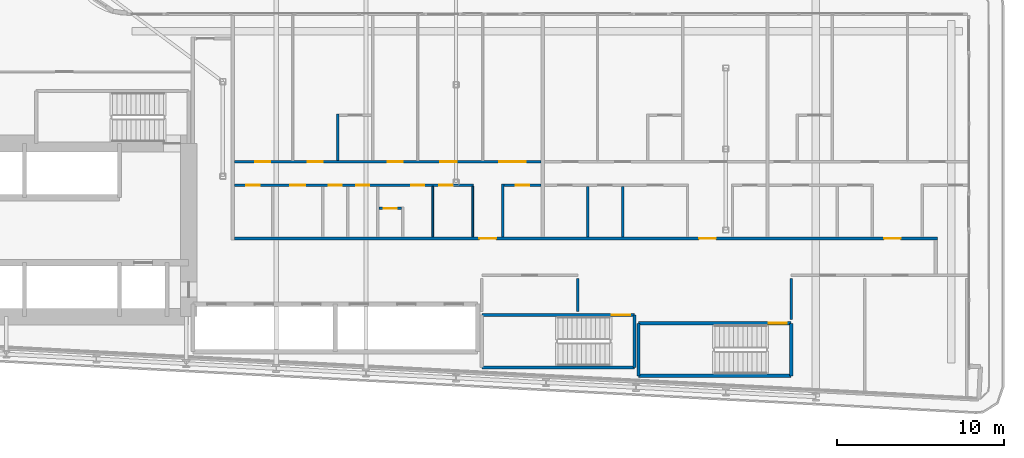
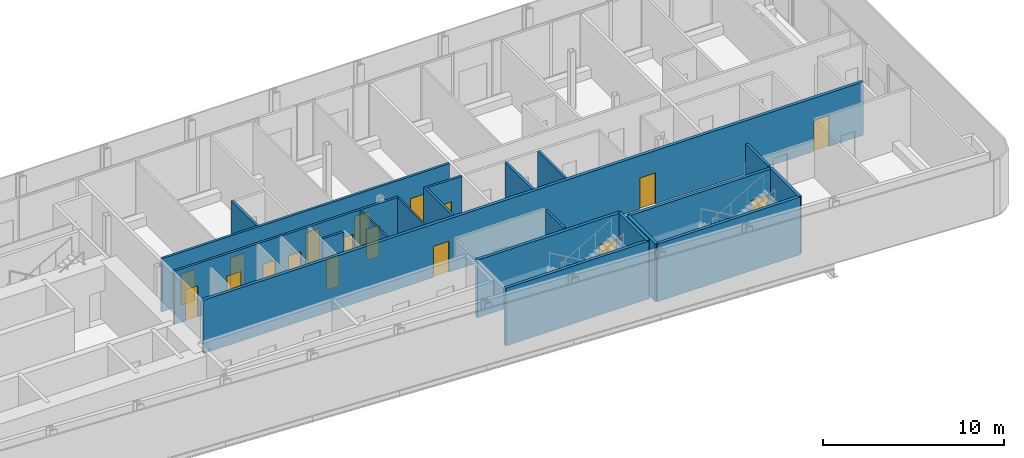
# One storey, part 16 of 29: 20 walls, 18 doors, 18 openings.
"""IFC4 building model written with IfcOpenShell, lengths in metres."""

from ifc_helpers import new_model, si_unit, direction, frame, frame_2d, origin, place, context, subcontext, project, spatial, rectangle, extrude, source, transform, mapped, material, layer, layer_set, type_object, element, fill, save


model = new_model("IFC4")

# Units and contexts
model_context = context("Model", 3, precision=1e-05, world=origin(), true_north=direction((0.0, 1.0)))
body_context = subcontext(model_context, "Body", "Model", "MODEL_VIEW")
ifc_project = project(units=[si_unit("LENGTHUNIT", "METRE"), si_unit("AREAUNIT", "SQUARE_METRE"), si_unit("VOLUMEUNIT", "CUBIC_METRE"), si_unit("PLANEANGLEUNIT", "RADIAN"), si_unit("MASSUNIT", "GRAM", prefix="KILO")], contexts=[model_context])

# Site, building, storey
site_placement = place(None, origin())
site = spatial("IfcSite", under=ifc_project, at=site_placement, CompositionType="ELEMENT")
building_placement = place(site_placement, origin())
building = spatial("IfcBuilding", under=site, at=building_placement, Name="Kheshtan School and Residences Tower", CompositionType="ELEMENT")
storey_placement = place(building_placement, frame((0.0, 0.0, 69.5)))
storey = spatial("IfcBuildingStorey", under=building, at=storey_placement, Name="L16", CompositionType="ELEMENT", Elevation=69.5)

# Wall, openings, doors
ifc_material_1 = material(Name="Gypsum board on steel studs with fire boards", Category="steel")
ifc_layer_1 = layer(ifc_material_1, 0.199951171875)
ifc_layer_set_1 = layer_set([ifc_layer_1], Name="Corridor wall 200")
wall_type_1 = type_object("IfcWallType", Name="Corridor wall 200", PredefinedType="PARTITIONING", material=ifc_layer_set_1)
wall_1_placement = place(storey_placement, frame((55.89990234375, 30.5, 0.0), z_axis=(0.0, 0.0, 1.0), x_axis=(1.0, 0.0, 0.0)))
wall_1 = element("IfcWall", 1, at=wall_1_placement, inside=storey, type_object=wall_type_1, Name="Partition L16-041", PredefinedType="PARTITIONING", context=body_context, shape_type="SweptSolid", body=[
    extrude(rectangle(XDim=42.2001953125, YDim=0.199951171875, at=frame_2d((21.10009765625, 0.0))), origin(), (0.0, 0.0, 1.0), 3.60009765625),
])
opening_1_placement = place(wall_1_placement, frame((14.699951171875, 0.0, 0.0)))
opening_1 = element("IfcOpeningElement", 2, at=opening_1_placement, cuts=wall_1, Name="Opening D14-007", PredefinedType="OPENING", context=body_context, shape_type="SweptSolid", body=[
    extrude(rectangle(XDim=1.0, YDim=2.10009765625, at=frame_2d((0.5, 1.050048828125))), frame((0.0, 0.10986328125, 0.0), z_axis=(0.0, -1.0, 0.0), x_axis=(1.0, 0.0, 0.0)), (0.0, 0.0, 1.0), 0.219970703125),
])
opening_2_placement = place(wall_1_placement, frame((27.89990234375, 0.0, 0.0)))
opening_2 = element("IfcOpeningElement", 3, at=opening_2_placement, cuts=wall_1, Name="Opening D14-019", PredefinedType="OPENING", context=body_context, shape_type="SweptSolid", body=[
    extrude(rectangle(XDim=1.0, YDim=2.10009765625, at=frame_2d((0.5, 1.050048828125))), frame((0.0, 0.10986328125, 0.0), z_axis=(0.0, -1.0, 0.0), x_axis=(1.0, 0.0, 0.0)), (0.0, 0.0, 1.0), 0.219970703125),
])
opening_3_placement = place(wall_1_placement, frame((39.0, 0.0, 0.0)))
opening_3 = element("IfcOpeningElement", 4, at=opening_3_placement, cuts=wall_1, Name="Opening D14-028", PredefinedType="OPENING", context=body_context, shape_type="SweptSolid", body=[
    extrude(rectangle(XDim=1.0, YDim=2.10009765625, at=frame_2d((0.5, 1.050048828125))), frame((0.0, 0.10986328125, 0.0), z_axis=(0.0, -1.0, 0.0), x_axis=(1.0, 0.0, 0.0)), (0.0, 0.0, 1.0), 0.219970703125),
])
ifc_material_2 = material(Name="Steel-framed fire-resisting door leaf", Category="steel")
door_type_1 = type_object("IfcDoorType", Name="Fire door FD30S 1000 x 2100", OperationType="SINGLE_SWING_LEFT", PredefinedType="DOOR", material=ifc_material_2)
shared_shape_1 = source(origin(), body_context, "Body", "SweptSolid", [
    extrude(rectangle(XDim=1.0, YDim=2.10009765625, at=frame_2d((0.5, 1.050048828125))), frame((0.0, 0.02490234375, 0.0), z_axis=(0.0, -1.0, 0.0), x_axis=(1.0, 0.0, 0.0)), (0.0, 0.0, 1.0), 0.050048828125),
])
door_1_placement = place(opening_1_placement, origin())
door_1 = element("IfcDoor", 5, at=door_1_placement, inside=storey, type_object=door_type_1, Name="Door D14-007", OperationType="SINGLE_SWING_LEFT", OverallHeight=2.10009765625, OverallWidth=1.0, PredefinedType="DOOR", context=body_context, shape_type="MappedRepresentation", body=[
    mapped(shared_shape_1, transform((0.0, 0.0, 0.0), x_axis=(1.0, 0.0, 0.0), y_axis=(0.0, 1.0, 0.0), z_axis=(0.0, 0.0, 1.0), scale=1.0)),
])
fill(opening_1, door_1)
door_2_placement = place(opening_2_placement, origin())
door_2 = element("IfcDoor", 6, at=door_2_placement, inside=storey, type_object=door_type_1, Name="Door D14-019", OperationType="SINGLE_SWING_LEFT", OverallHeight=2.10009765625, OverallWidth=1.0, PredefinedType="DOOR", context=body_context, shape_type="MappedRepresentation", body=[
    mapped(shared_shape_1, transform((0.0, 0.0, 0.0), x_axis=(1.0, 0.0, 0.0), y_axis=(0.0, 1.0, 0.0), z_axis=(0.0, 0.0, 1.0), scale=1.0)),
])
fill(opening_2, door_2)
door_3_placement = place(opening_3_placement, origin())
door_3 = element("IfcDoor", 7, at=door_3_placement, inside=storey, type_object=door_type_1, Name="Door D14-028", OperationType="SINGLE_SWING_LEFT", OverallHeight=2.10009765625, OverallWidth=1.0, PredefinedType="DOOR", context=body_context, shape_type="MappedRepresentation", body=[
    mapped(shared_shape_1, transform((0.0, 0.0, 0.0), x_axis=(1.0, 0.0, 0.0), y_axis=(0.0, 1.0, 0.0), z_axis=(0.0, 0.0, 1.0), scale=1.0)),
])
fill(opening_3, door_3)

# Walls
ifc_material_3 = material(Name="Gypsum board on steel studs", Category="steel")
ifc_layer_2 = layer(ifc_material_3, 0.10009765625)
ifc_layer_set_2 = layer_set([ifc_layer_2], Name="Gypsum partition 100")
wall_type_2 = type_object("IfcWallType", Name="Gypsum partition 100", PredefinedType="PARTITIONING", material=ifc_layer_set_2)
for number, where, z_axis, x_axis, name in (
    (8, (67.800048828125, 30.60009765625, 0.0), (0.0, 0.0, 1.0), (0.0, 1.0, 0.0), "Partition L16-055"),
    (9, (70.199951171875, 30.60009765625, 0.0), (0.0, 0.0, 1.0), (0.0, 1.0, 0.0), "Partition L16-056"),
):
    element("IfcWall", number, at=place(storey_placement, frame(where, z_axis=z_axis, x_axis=x_axis)), inside=storey, type_object=wall_type_2, Name=name, PredefinedType="PARTITIONING", context=body_context, shape_type="SweptSolid", body=[
        extrude(rectangle(XDim=3.02490234375, YDim=0.10009765625, at=frame_2d((1.512451171875, 0.0))), origin(), (0.0, 0.0, 1.0), 3.60009765625),
    ])
ifc_material_4 = material(Name="Fire-board shaft wall system")
ifc_layer_3 = layer(ifc_material_4, 0.14990234375)
ifc_layer_set_3 = layer_set([ifc_layer_3], Name="Service room wall 150")
wall_type_3 = type_object("IfcWallType", Name="Service room wall 150", PredefinedType="PARTITIONING", material=ifc_layer_set_3)
wall_2_placement = place(storey_placement, frame((76.510009765625, 26.1201171875, 0.0), z_axis=(0.0, 0.0, 1.0), x_axis=(0.0, 1.0, 0.0)))
element("IfcWall", 10, at=wall_2_placement, inside=storey, type_object=wall_type_3, Name="Service room wall", PredefinedType="PARTITIONING", context=body_context, shape_type="SweptSolid", body=[
    extrude(rectangle(XDim=1.98486328125, YDim=0.14990234375, at=frame_2d((0.992431640625, 0.0))), origin(), (0.0, 0.0, 1.0), 3.89990234375),
])
wall_3_placement = place(storey_placement, frame((89.320068359375, 25.6201171875, 0.0), z_axis=(0.0, 0.0, 1.0), x_axis=(0.0, 1.0, 0.0)))
element("IfcWall", 11, at=wall_3_placement, inside=storey, type_object=wall_type_3, Name="Service room wall", PredefinedType="PARTITIONING", context=body_context, shape_type="SweptSolid", body=[
    extrude(rectangle(XDim=2.48486328125, YDim=0.14990234375, at=frame_2d((1.242431640625, 0.0))), origin(), (0.0, 0.0, 1.0), 3.89990234375),
])
ifc_material_5 = material(Name="Concrete C40/50", Category="concrete")
ifc_layer_4 = layer(ifc_material_5, 0.199951171875)
ifc_layer_set_4 = layer_set([ifc_layer_4], Name="Stair enclosure wall 200 Concrete C40/50")
wall_type_4 = type_object("IfcWallType", Name="Stair enclosure wall 200 Concrete C40/50", PredefinedType="SHEAR", material=ifc_layer_set_4)
wall_4_placement = place(storey_placement, frame((80.159912109375, 22.25, 0.0), z_axis=(0.0, 0.0, 1.0), x_axis=(1.0, 0.0, 0.0)))
element("IfcWall", 12, at=wall_4_placement, inside=storey, type_object=wall_type_4, Name="Stair enclosure wall ST4", PredefinedType="SHEAR", context=body_context, shape_type="SweptSolid", body=[
    extrude(rectangle(XDim=9.16015625, YDim=0.199951171875, at=frame_2d((4.580078125, 0.0))), origin(), (0.0, 0.0, 1.0), 3.89990234375),
])

# Wall, opening, door
wall_5_placement = place(storey_placement, frame((80.159912109375, 25.39990234375, 0.0), z_axis=(0.0, 0.0, 1.0), x_axis=(1.0, 0.0, 0.0)))
wall_5 = element("IfcWall", 13, at=wall_5_placement, inside=storey, type_object=wall_type_4, Name="Stair enclosure wall ST4", PredefinedType="SHEAR", context=body_context, shape_type="SweptSolid", body=[
    extrude(rectangle(XDim=9.16015625, YDim=0.199951171875, at=frame_2d((4.580078125, 0.0))), origin(), (0.0, 0.0, 1.0), 3.89990234375),
])
opening_4_placement = place(wall_5_placement, frame((7.81005859375, 0.0, 0.0)))
opening_4 = element("IfcOpeningElement", 14, at=opening_4_placement, cuts=wall_5, Name="Opening ST4D", PredefinedType="OPENING", context=body_context, shape_type="SweptSolid", body=[
    extrude(rectangle(XDim=1.10009765625, YDim=2.199951171875, at=frame_2d((0.550048828125, 1.10009765625))), frame((0.0, 0.10986328125, 0.0), z_axis=(0.0, -1.0, 0.0), x_axis=(1.0, 0.0, 0.0)), (0.0, 0.0, 1.0), 0.219970703125),
])
ifc_material_6 = material(Name="Steel door leaf, galvanised", Category="steel")
door_type_2 = type_object("IfcDoorType", Name="Stair door 1100 steel 90 min", OperationType="SINGLE_SWING_LEFT", PredefinedType="DOOR", material=ifc_material_6)
shared_shape_2 = source(origin(), body_context, "Body", "SweptSolid", [
    extrude(rectangle(XDim=1.10009765625, YDim=2.199951171875, at=frame_2d((0.550048828125, 1.10009765625))), frame((0.0, 0.02490234375, 0.0), z_axis=(0.0, -1.0, 0.0), x_axis=(1.0, 0.0, 0.0)), (0.0, 0.0, 1.0), 0.050048828125),
])
door_4_placement = place(opening_4_placement, origin())
door_4 = element("IfcDoor", 15, at=door_4_placement, inside=storey, type_object=door_type_2, Name="Stair ST4 door", OperationType="SINGLE_SWING_LEFT", OverallHeight=2.199951171875, OverallWidth=1.10009765625, PredefinedType="DOOR", context=body_context, shape_type="MappedRepresentation", body=[
    mapped(shared_shape_2, transform((0.0, 0.0, 0.0), x_axis=(1.0, 0.0, 0.0), y_axis=(0.0, 1.0, 0.0), z_axis=(0.0, 0.0, 1.0), scale=1.0)),
])
fill(opening_4, door_4)

# Walls
for number, where, z_axis, x_axis, name in (
    (16, (80.159912109375, 22.25, 0.0), (0.0, 0.0, 1.0), (0.0, 1.0, 0.0), "Stair enclosure wall ST4"),
    (17, (89.320068359375, 22.25, 0.0), (0.0, 0.0, 1.0), (0.0, 1.0, 0.0), "Stair enclosure wall ST4"),
):
    element("IfcWall", number, at=place(storey_placement, frame(where, z_axis=z_axis, x_axis=x_axis)), inside=storey, type_object=wall_type_4, Name=name, PredefinedType="SHEAR", context=body_context, shape_type="SweptSolid", body=[
        extrude(rectangle(XDim=3.14990234375, YDim=0.199951171875, at=frame_2d((1.574951171875, 0.0))), origin(), (0.0, 0.0, 1.0), 3.89990234375),
    ])
wall_6_placement = place(storey_placement, frame((70.75, 22.75, 0.0), z_axis=(0.0, 0.0, 1.0), x_axis=(1.0, 0.0, 0.0)))
element("IfcWall", 18, at=wall_6_placement, inside=storey, type_object=wall_type_4, Name="Stair enclosure wall ST5", PredefinedType="SHEAR", context=body_context, shape_type="SweptSolid", body=[
    extrude(rectangle(XDim=9.159912109375, YDim=0.199951171875, at=frame_2d((4.580078125, 0.0))), origin(), (0.0, 0.0, 1.0), 3.89990234375),
])

# Wall, opening, door
wall_7_placement = place(storey_placement, frame((70.75, 25.89990234375, 0.0), z_axis=(0.0, 0.0, 1.0), x_axis=(1.0, 0.0, 0.0)))
wall_7 = element("IfcWall", 19, at=wall_7_placement, inside=storey, type_object=wall_type_4, Name="Stair enclosure wall ST5", PredefinedType="SHEAR", context=body_context, shape_type="SweptSolid", body=[
    extrude(rectangle(XDim=9.159912109375, YDim=0.199951171875, at=frame_2d((4.580078125, 0.0))), origin(), (0.0, 0.0, 1.0), 3.89990234375),
])
opening_5_placement = place(wall_7_placement, frame((7.81005859375, 0.0, 0.0)))
opening_5 = element("IfcOpeningElement", 20, at=opening_5_placement, cuts=wall_7, Name="Opening ST5D", PredefinedType="OPENING", context=body_context, shape_type="SweptSolid", body=[
    extrude(rectangle(XDim=1.10009765625, YDim=2.199951171875, at=frame_2d((0.550048828125, 1.10009765625))), frame((0.0, 0.10986328125, 0.0), z_axis=(0.0, -1.0, 0.0), x_axis=(1.0, 0.0, 0.0)), (0.0, 0.0, 1.0), 0.219970703125),
])
door_5_placement = place(opening_5_placement, origin())
door_5 = element("IfcDoor", 21, at=door_5_placement, inside=storey, type_object=door_type_2, Name="Stair ST5 door", OperationType="SINGLE_SWING_LEFT", OverallHeight=2.199951171875, OverallWidth=1.10009765625, PredefinedType="DOOR", context=body_context, shape_type="MappedRepresentation", body=[
    mapped(shared_shape_2, transform((0.0, 0.0, 0.0), x_axis=(1.0, 0.0, 0.0), y_axis=(0.0, 1.0, 0.0), z_axis=(0.0, 0.0, 1.0), scale=1.0)),
])
fill(opening_5, door_5)

# Wall
wall_8_placement = place(storey_placement, frame((79.909912109375, 22.75, 0.0), z_axis=(0.0, 0.0, 1.0), x_axis=(0.0, 1.0, 0.0)))
element("IfcWall", 22, at=wall_8_placement, inside=storey, type_object=wall_type_4, Name="Stair enclosure wall ST5", PredefinedType="SHEAR", context=body_context, shape_type="SweptSolid", body=[
    extrude(rectangle(XDim=3.14990234375, YDim=0.199951171875, at=frame_2d((1.574951171875, 0.0))), origin(), (0.0, 0.0, 1.0), 3.89990234375),
])

# Wall, openings, doors
ifc_material_7 = material(Name="Moisture-resistant gypsum board on steel studs", Category="steel")
ifc_layer_5 = layer(ifc_material_7, 0.14990234375)
ifc_layer_set_5 = layer_set([ifc_layer_5], Name="Wet-room partition 150")
wall_type_5 = type_object("IfcWallType", Name="Wet-room partition 150", PredefinedType="PARTITIONING", material=ifc_layer_set_5)
wall_9_placement = place(storey_placement, frame((55.89990234375, 33.699951171875, 0.0), z_axis=(0.0, 0.0, 1.0), x_axis=(1.0, 0.0, 0.0)))
wall_9 = element("IfcWall", 23, at=wall_9_placement, inside=storey, type_object=wall_type_5, Name="Partition L16-042", PredefinedType="PARTITIONING", context=body_context, shape_type="SweptSolid", body=[
    extrude(rectangle(XDim=14.35009765625, YDim=0.14990234375, at=frame_2d((7.175048828125, 0.0))), origin(), (0.0, 0.0, 1.0), 3.60009765625),
])
opening_6_placement = place(wall_9_placement, frame((0.699951171875, 0.0, 0.0)))
opening_6 = element("IfcOpeningElement", 24, at=opening_6_placement, cuts=wall_9, Name="Opening D14-001", PredefinedType="OPENING", context=body_context, shape_type="SweptSolid", body=[
    extrude(rectangle(XDim=0.800048828125, YDim=2.10009765625, at=frame_2d((0.39990234375, 1.050048828125))), frame((0.0, 0.0849609375, 0.0), z_axis=(0.0, -1.0, 0.0), x_axis=(1.0, 0.0, 0.0)), (0.0, 0.0, 1.0), 0.169921875),
])
opening_7_placement = place(wall_9_placement, frame((12.300048828125, 0.0, 0.0)))
opening_7 = element("IfcOpeningElement", 25, at=opening_7_placement, cuts=wall_9, Name="Opening D14-005", PredefinedType="OPENING", context=body_context, shape_type="SweptSolid", body=[
    extrude(rectangle(XDim=0.800048828125, YDim=2.10009765625, at=frame_2d((0.39990234375, 1.050048828125))), frame((0.0, 0.0849609375, 0.0), z_axis=(0.0, -1.0, 0.0), x_axis=(1.0, 0.0, 0.0)), (0.0, 0.0, 1.0), 0.169921875),
])
opening_8_placement = place(wall_9_placement, frame((3.35009765625, 0.0, 0.0)))
opening_8 = element("IfcOpeningElement", 26, at=opening_8_placement, cuts=wall_9, Name="Opening D14-008", PredefinedType="OPENING", context=body_context, shape_type="SweptSolid", body=[
    extrude(rectangle(XDim=0.89990234375, YDim=2.10009765625, at=frame_2d((0.449951171875, 1.050048828125))), frame((0.0, 0.0849609375, 0.0), z_axis=(0.0, -1.0, 0.0), x_axis=(1.0, 0.0, 0.0)), (0.0, 0.0, 1.0), 0.169921875),
])
opening_9_placement = place(wall_9_placement, frame((10.60009765625, 0.0, 0.0)))
opening_9 = element("IfcOpeningElement", 27, at=opening_9_placement, cuts=wall_9, Name="Opening D14-010", PredefinedType="OPENING", context=body_context, shape_type="SweptSolid", body=[
    extrude(rectangle(XDim=0.800048828125, YDim=2.10009765625, at=frame_2d((0.39990234375, 1.050048828125))), frame((0.0, 0.0849609375, 0.0), z_axis=(0.0, -1.0, 0.0), x_axis=(1.0, 0.0, 0.0)), (0.0, 0.0, 1.0), 0.169921875),
])
opening_10_placement = place(wall_9_placement, frame((7.300048828125, 0.0, 0.0)))
opening_10 = element("IfcOpeningElement", 28, at=opening_10_placement, cuts=wall_9, Name="Opening D14-014", PredefinedType="OPENING", context=body_context, shape_type="SweptSolid", body=[
    extrude(rectangle(XDim=0.800048828125, YDim=2.10009765625, at=frame_2d((0.39990234375, 1.050048828125))), frame((0.0, 0.0849609375, 0.0), z_axis=(0.0, -1.0, 0.0), x_axis=(1.0, 0.0, 0.0)), (0.0, 0.0, 1.0), 0.169921875),
])
opening_11_placement = place(wall_9_placement, frame((5.64990234375, 0.0, 0.0)))
opening_11 = element("IfcOpeningElement", 29, at=opening_11_placement, cuts=wall_9, Name="Opening D14-015", PredefinedType="OPENING", context=body_context, shape_type="SweptSolid", body=[
    extrude(rectangle(XDim=0.800048828125, YDim=2.10009765625, at=frame_2d((0.39990234375, 1.050048828125))), frame((0.0, 0.0849609375, 0.0), z_axis=(0.0, -1.0, 0.0), x_axis=(1.0, 0.0, 0.0)), (0.0, 0.0, 1.0), 0.169921875),
])
ifc_material_8 = material(Name="Veneered timber door leaf", Category="wood")
door_type_3 = type_object("IfcDoorType", Name="Door 800 x 2100", OperationType="SINGLE_SWING_LEFT", PredefinedType="DOOR", material=ifc_material_8)
shared_shape_3 = source(origin(), body_context, "Body", "SweptSolid", [
    extrude(rectangle(XDim=0.800048828125, YDim=2.10009765625, at=frame_2d((0.39990234375, 1.050048828125))), frame((0.0, 0.02490234375, 0.0), z_axis=(0.0, -1.0, 0.0), x_axis=(1.0, 0.0, 0.0)), (0.0, 0.0, 1.0), 0.050048828125),
])
door_6_placement = place(opening_6_placement, origin())
door_6 = element("IfcDoor", 30, at=door_6_placement, inside=storey, type_object=door_type_3, Name="Door D14-001", OperationType="SINGLE_SWING_RIGHT", OverallHeight=2.10009765625, OverallWidth=0.800048828125, PredefinedType="DOOR", context=body_context, shape_type="MappedRepresentation", body=[
    mapped(shared_shape_3, transform((0.0, 0.0, 0.0), x_axis=(1.0, 0.0, 0.0), y_axis=(0.0, 1.0, 0.0), z_axis=(0.0, 0.0, 1.0), scale=1.0)),
])
fill(opening_6, door_6)
door_7_placement = place(opening_7_placement, origin())
door_7 = element("IfcDoor", 31, at=door_7_placement, inside=storey, type_object=door_type_3, Name="Door D14-005", OperationType="SINGLE_SWING_RIGHT", OverallHeight=2.10009765625, OverallWidth=0.800048828125, PredefinedType="DOOR", context=body_context, shape_type="MappedRepresentation", body=[
    mapped(shared_shape_3, transform((0.0, 0.0, 0.0), x_axis=(1.0, 0.0, 0.0), y_axis=(0.0, 1.0, 0.0), z_axis=(0.0, 0.0, 1.0), scale=1.0)),
])
fill(opening_7, door_7)
door_8_placement = place(opening_9_placement, origin())
door_8 = element("IfcDoor", 32, at=door_8_placement, inside=storey, type_object=door_type_3, Name="Door D14-010", OperationType="SINGLE_SWING_LEFT", OverallHeight=2.10009765625, OverallWidth=0.800048828125, PredefinedType="DOOR", context=body_context, shape_type="MappedRepresentation", body=[
    mapped(shared_shape_3, transform((0.0, 0.0, 0.0), x_axis=(1.0, 0.0, 0.0), y_axis=(0.0, 1.0, 0.0), z_axis=(0.0, 0.0, 1.0), scale=1.0)),
])
fill(opening_9, door_8)
door_9_placement = place(opening_10_placement, origin())
door_9 = element("IfcDoor", 33, at=door_9_placement, inside=storey, type_object=door_type_3, Name="Door D14-014", OperationType="SINGLE_SWING_RIGHT", OverallHeight=2.10009765625, OverallWidth=0.800048828125, PredefinedType="DOOR", context=body_context, shape_type="MappedRepresentation", body=[
    mapped(shared_shape_3, transform((0.0, 0.0, 0.0), x_axis=(1.0, 0.0, 0.0), y_axis=(0.0, 1.0, 0.0), z_axis=(0.0, 0.0, 1.0), scale=1.0)),
])
fill(opening_10, door_9)
door_10_placement = place(opening_11_placement, origin())
door_10 = element("IfcDoor", 34, at=door_10_placement, inside=storey, type_object=door_type_3, Name="Door D14-015", OperationType="SINGLE_SWING_LEFT", OverallHeight=2.10009765625, OverallWidth=0.800048828125, PredefinedType="DOOR", context=body_context, shape_type="MappedRepresentation", body=[
    mapped(shared_shape_3, transform((0.0, 0.0, 0.0), x_axis=(1.0, 0.0, 0.0), y_axis=(0.0, 1.0, 0.0), z_axis=(0.0, 0.0, 1.0), scale=1.0)),
])
fill(opening_11, door_10)
door_type_4 = type_object("IfcDoorType", Name="Door 900 x 2100", OperationType="SINGLE_SWING_LEFT", PredefinedType="DOOR", material=ifc_material_8)
shared_shape_4 = source(origin(), body_context, "Body", "SweptSolid", [
    extrude(rectangle(XDim=0.89990234375, YDim=2.10009765625, at=frame_2d((0.449951171875, 1.050048828125))), frame((0.0, 0.02490234375, 0.0), z_axis=(0.0, -1.0, 0.0), x_axis=(1.0, 0.0, 0.0)), (0.0, 0.0, 1.0), 0.050048828125),
])
door_11_placement = place(opening_8_placement, origin())
door_11 = element("IfcDoor", 35, at=door_11_placement, inside=storey, type_object=door_type_4, Name="Door D14-008", OperationType="SINGLE_SWING_LEFT", OverallHeight=2.10009765625, OverallWidth=0.89990234375, PredefinedType="DOOR", context=body_context, shape_type="MappedRepresentation", body=[
    mapped(shared_shape_4, transform((0.0, 0.0, 0.0), x_axis=(1.0, 0.0, 0.0), y_axis=(0.0, 1.0, 0.0), z_axis=(0.0, 0.0, 1.0), scale=1.0)),
])
fill(opening_8, door_11)

wall_10_placement = place(storey_placement, frame((55.89990234375, 35.10009765625, 0.0), z_axis=(0.0, 0.0, 1.0), x_axis=(1.0, 0.0, 0.0)))
wall_10 = element("IfcWall", 36, at=wall_10_placement, inside=storey, type_object=wall_type_5, Name="Partition L16-043", PredefinedType="PARTITIONING", context=body_context, shape_type="SweptSolid", body=[
    extrude(rectangle(XDim=18.400146484375, YDim=0.14990234375, at=frame_2d((9.2001953125, 0.0))), origin(), (0.0, 0.0, 1.0), 3.60009765625),
])
opening_12_placement = place(wall_10_placement, frame((1.25, 0.0, 0.0)))
opening_12 = element("IfcOpeningElement", 37, at=opening_12_placement, cuts=wall_10, Name="Opening D14-003", PredefinedType="OPENING", context=body_context, shape_type="SweptSolid", body=[
    extrude(rectangle(XDim=0.89990234375, YDim=2.10009765625, at=frame_2d((0.449951171875, 1.050048828125))), frame((0.0, 0.0849609375, 0.0), z_axis=(0.0, -1.0, 0.0), x_axis=(1.0, 0.0, 0.0)), (0.0, 0.0, 1.0), 0.169921875),
])
opening_13_placement = place(wall_10_placement, frame((9.199951171875, 0.0, 0.0)))
opening_13 = element("IfcOpeningElement", 38, at=opening_13_placement, cuts=wall_10, Name="Opening D14-004", PredefinedType="OPENING", context=body_context, shape_type="SweptSolid", body=[
    extrude(rectangle(XDim=0.89990234375, YDim=2.10009765625, at=frame_2d((0.449951171875, 1.050048828125))), frame((0.0, 0.0849609375, 0.0), z_axis=(0.0, -1.0, 0.0), x_axis=(1.0, 0.0, 0.0)), (0.0, 0.0, 1.0), 0.169921875),
])
opening_14_placement = place(wall_10_placement, frame((12.35009765625, 0.0, 0.0)))
opening_14 = element("IfcOpeningElement", 39, at=opening_14_placement, cuts=wall_10, Name="Opening D14-009", PredefinedType="OPENING", context=body_context, shape_type="SweptSolid", body=[
    extrude(rectangle(XDim=1.0, YDim=2.10009765625, at=frame_2d((0.5, 1.050048828125))), frame((0.0, 0.0849609375, 0.0), z_axis=(0.0, -1.0, 0.0), x_axis=(1.0, 0.0, 0.0)), (0.0, 0.0, 1.0), 0.169921875),
])
opening_15_placement = place(wall_10_placement, frame((15.89990234375, 0.0, 0.0)))
opening_15 = element("IfcOpeningElement", 40, at=opening_15_placement, cuts=wall_10, Name="Opening D14-012", PredefinedType="OPENING", context=body_context, shape_type="SweptSolid", body=[
    extrude(rectangle(XDim=1.60009765625, YDim=2.10009765625, at=frame_2d((0.800048828125, 1.050048828125))), frame((0.0, 0.0849609375, 0.0), z_axis=(0.0, -1.0, 0.0), x_axis=(1.0, 0.0, 0.0)), (0.0, 0.0, 1.0), 0.169921875),
])
opening_16_placement = place(wall_10_placement, frame((4.39990234375, 0.0, 0.0)))
opening_16 = element("IfcOpeningElement", 41, at=opening_16_placement, cuts=wall_10, Name="Opening D14-013", PredefinedType="OPENING", context=body_context, shape_type="SweptSolid", body=[
    extrude(rectangle(XDim=0.89990234375, YDim=2.10009765625, at=frame_2d((0.449951171875, 1.050048828125))), frame((0.0, 0.0849609375, 0.0), z_axis=(0.0, -1.0, 0.0), x_axis=(1.0, 0.0, 0.0)), (0.0, 0.0, 1.0), 0.169921875),
])
door_type_5 = type_object("IfcDoorType", Name="Door 1000 x 2100", OperationType="SINGLE_SWING_LEFT", PredefinedType="DOOR", material=ifc_material_8)
shared_shape_5 = source(origin(), body_context, "Body", "SweptSolid", [
    extrude(rectangle(XDim=1.0, YDim=2.10009765625, at=frame_2d((0.5, 1.050048828125))), frame((0.0, 0.02490234375, 0.0), z_axis=(0.0, -1.0, 0.0), x_axis=(1.0, 0.0, 0.0)), (0.0, 0.0, 1.0), 0.050048828125),
])
door_12_placement = place(opening_14_placement, origin())
door_12 = element("IfcDoor", 42, at=door_12_placement, inside=storey, type_object=door_type_5, Name="Door D14-009", OperationType="SINGLE_SWING_LEFT", OverallHeight=2.10009765625, OverallWidth=1.0, PredefinedType="DOOR", context=body_context, shape_type="MappedRepresentation", body=[
    mapped(shared_shape_5, transform((0.0, 0.0, 0.0), x_axis=(1.0, 0.0, 0.0), y_axis=(0.0, 1.0, 0.0), z_axis=(0.0, 0.0, 1.0), scale=1.0)),
])
fill(opening_14, door_12)
door_13_placement = place(opening_12_placement, origin())
door_13 = element("IfcDoor", 43, at=door_13_placement, inside=storey, type_object=door_type_4, Name="Door D14-003", OperationType="SINGLE_SWING_LEFT", OverallHeight=2.10009765625, OverallWidth=0.89990234375, PredefinedType="DOOR", context=body_context, shape_type="MappedRepresentation", body=[
    mapped(shared_shape_4, transform((0.0, 0.0, 0.0), x_axis=(1.0, 0.0, 0.0), y_axis=(0.0, 1.0, 0.0), z_axis=(0.0, 0.0, 1.0), scale=1.0)),
])
fill(opening_12, door_13)
door_14_placement = place(opening_13_placement, origin())
door_14 = element("IfcDoor", 44, at=door_14_placement, inside=storey, type_object=door_type_4, Name="Door D14-004", OperationType="SINGLE_SWING_RIGHT", OverallHeight=2.10009765625, OverallWidth=0.89990234375, PredefinedType="DOOR", context=body_context, shape_type="MappedRepresentation", body=[
    mapped(shared_shape_4, transform((0.0, 0.0, 0.0), x_axis=(1.0, 0.0, 0.0), y_axis=(0.0, 1.0, 0.0), z_axis=(0.0, 0.0, 1.0), scale=1.0)),
])
fill(opening_13, door_14)
door_15_placement = place(opening_16_placement, origin())
door_15 = element("IfcDoor", 45, at=door_15_placement, inside=storey, type_object=door_type_4, Name="Door D14-013", OperationType="SINGLE_SWING_LEFT", OverallHeight=2.10009765625, OverallWidth=0.89990234375, PredefinedType="DOOR", context=body_context, shape_type="MappedRepresentation", body=[
    mapped(shared_shape_4, transform((0.0, 0.0, 0.0), x_axis=(1.0, 0.0, 0.0), y_axis=(0.0, 1.0, 0.0), z_axis=(0.0, 0.0, 1.0), scale=1.0)),
])
fill(opening_16, door_15)
door_type_6 = type_object("IfcDoorType", Name="Double door 1600 x 2100", OperationType="DOUBLE_DOOR_SINGLE_SWING", PredefinedType="DOOR", material=ifc_material_8)
shared_shape_6 = source(origin(), body_context, "Body", "SweptSolid", [
    extrude(rectangle(XDim=1.60009765625, YDim=2.10009765625, at=frame_2d((0.800048828125, 1.050048828125))), frame((0.0, 0.02490234375, 0.0), z_axis=(0.0, -1.0, 0.0), x_axis=(1.0, 0.0, 0.0)), (0.0, 0.0, 1.0), 0.050048828125),
])
door_16_placement = place(opening_15_placement, origin())
door_16 = element("IfcDoor", 46, at=door_16_placement, inside=storey, type_object=door_type_6, Name="Door D14-012", OperationType="DOUBLE_DOOR_SINGLE_SWING", OverallHeight=2.10009765625, OverallWidth=1.60009765625, PredefinedType="DOOR", context=body_context, shape_type="MappedRepresentation", body=[
    mapped(shared_shape_6, transform((0.0, 0.0, 0.0), x_axis=(1.0, 0.0, 0.0), y_axis=(0.0, 1.0, 0.0), z_axis=(0.0, 0.0, 1.0), scale=1.0)),
])
fill(opening_15, door_16)

# Wall
wall_11_placement = place(storey_placement, frame((62.10009765625, 35.175048828125, 0.0), z_axis=(0.0, 0.0, 1.0), x_axis=(0.0, 1.0, 0.0)))
element("IfcWall", 47, at=wall_11_placement, inside=storey, type_object=wall_type_5, Name="Partition L16-047", PredefinedType="PARTITIONING", context=body_context, shape_type="SweptSolid", body=[
    extrude(rectangle(XDim=2.800048828125, YDim=0.14990234375, at=frame_2d((1.39990234375, 0.0))), origin(), (0.0, 0.0, 1.0), 3.60009765625),
])

# Wall, opening, door
wall_12_placement = place(storey_placement, frame((64.574951171875, 32.300048828125, 0.0), z_axis=(0.0, 0.0, 1.0), x_axis=(1.0, 0.0, 0.0)))
wall_12 = element("IfcWall", 48, at=wall_12_placement, inside=storey, type_object=wall_type_5, Name="Partition L16-052", PredefinedType="PARTITIONING", context=body_context, shape_type="SweptSolid", body=[
    extrude(rectangle(XDim=1.35009765625, YDim=0.14990234375, at=frame_2d((0.675048828125, 0.0))), origin(), (0.0, 0.0, 1.0), 3.60009765625),
])
opening_17_placement = place(wall_12_placement, frame((0.27490234375, 0.0, 0.0)))
opening_17 = element("IfcOpeningElement", 49, at=opening_17_placement, cuts=wall_12, Name="Opening D14-011", PredefinedType="OPENING", context=body_context, shape_type="SweptSolid", body=[
    extrude(rectangle(XDim=0.800048828125, YDim=2.10009765625, at=frame_2d((0.39990234375, 1.050048828125))), frame((0.0, 0.0849609375, 0.0), z_axis=(0.0, -1.0, 0.0), x_axis=(1.0, 0.0, 0.0)), (0.0, 0.0, 1.0), 0.169921875),
])
door_17_placement = place(opening_17_placement, origin())
door_17 = element("IfcDoor", 50, at=door_17_placement, inside=storey, type_object=door_type_3, Name="Door D14-011", OperationType="SINGLE_SWING_RIGHT", OverallHeight=2.10009765625, OverallWidth=0.800048828125, PredefinedType="DOOR", context=body_context, shape_type="MappedRepresentation", body=[
    mapped(shared_shape_3, transform((0.0, 0.0, 0.0), x_axis=(1.0, 0.0, 0.0), y_axis=(0.0, 1.0, 0.0), z_axis=(0.0, 0.0, 1.0), scale=1.0)),
])
fill(opening_17, door_17)

# Wall
wall_13_placement = place(storey_placement, frame((72.0, 30.60009765625, 0.0), z_axis=(0.0, 0.0, 1.0), x_axis=(0.0, 1.0, 0.0)))
element("IfcWall", 51, at=wall_13_placement, inside=storey, type_object=wall_type_5, Name="Partition L16-058", PredefinedType="PARTITIONING", context=body_context, shape_type="SweptSolid", body=[
    extrude(rectangle(XDim=3.1748046875, YDim=0.14990234375, at=frame_2d((1.58740234375, 0.0))), origin(), (0.0, 0.0, 1.0), 3.60009765625),
])

# Wall, opening, door
wall_14_placement = place(storey_placement, frame((72.074951171875, 33.699951171875, 0.0), z_axis=(0.0, 0.0, 1.0), x_axis=(1.0, 0.0, 0.0)))
wall_14 = element("IfcWall", 52, at=wall_14_placement, inside=storey, type_object=wall_type_5, Name="Partition L16-059", PredefinedType="PARTITIONING", context=body_context, shape_type="SweptSolid", body=[
    extrude(rectangle(XDim=2.22509765625, YDim=0.14990234375, at=frame_2d((1.112548828125, 0.0))), origin(), (0.0, 0.0, 1.0), 3.60009765625),
])
opening_18_placement = place(wall_14_placement, frame((0.72509765625, 0.0, 0.0)))
opening_18 = element("IfcOpeningElement", 53, at=opening_18_placement, cuts=wall_14, Name="Opening D14-002", PredefinedType="OPENING", context=body_context, shape_type="SweptSolid", body=[
    extrude(rectangle(XDim=0.800048828125, YDim=2.10009765625, at=frame_2d((0.39990234375, 1.050048828125))), frame((0.0, 0.0849609375, 0.0), z_axis=(0.0, -1.0, 0.0), x_axis=(1.0, 0.0, 0.0)), (0.0, 0.0, 1.0), 0.169921875),
])
door_18_placement = place(opening_18_placement, origin())
door_18 = element("IfcDoor", 54, at=door_18_placement, inside=storey, type_object=door_type_3, Name="Door D14-002", OperationType="SINGLE_SWING_RIGHT", OverallHeight=2.10009765625, OverallWidth=0.800048828125, PredefinedType="DOOR", context=body_context, shape_type="MappedRepresentation", body=[
    mapped(shared_shape_3, transform((0.0, 0.0, 0.0), x_axis=(1.0, 0.0, 0.0), y_axis=(0.0, 1.0, 0.0), z_axis=(0.0, 0.0, 1.0), scale=1.0)),
])
fill(opening_18, door_18)

# Walls
for number, where, z_axis, x_axis, name in (
    (55, (77.10009765625, 30.60009765625, 0.0), (0.0, 0.0, 1.0), (0.0, 1.0, 0.0), "Partition L16-063"),
    (56, (79.199951171875, 30.60009765625, 0.0), (0.0, 0.0, 1.0), (0.0, 1.0, 0.0), "Partition L16-065"),
):
    element("IfcWall", number, at=place(storey_placement, frame(where, z_axis=z_axis, x_axis=x_axis)), inside=storey, type_object=wall_type_5, Name=name, PredefinedType="PARTITIONING", context=body_context, shape_type="SweptSolid", body=[
        extrude(rectangle(XDim=3.02490234375, YDim=0.14990234375, at=frame_2d((1.512451171875, 0.0))), origin(), (0.0, 0.0, 1.0), 3.60009765625),
    ])

save(model, "model.ifc")
